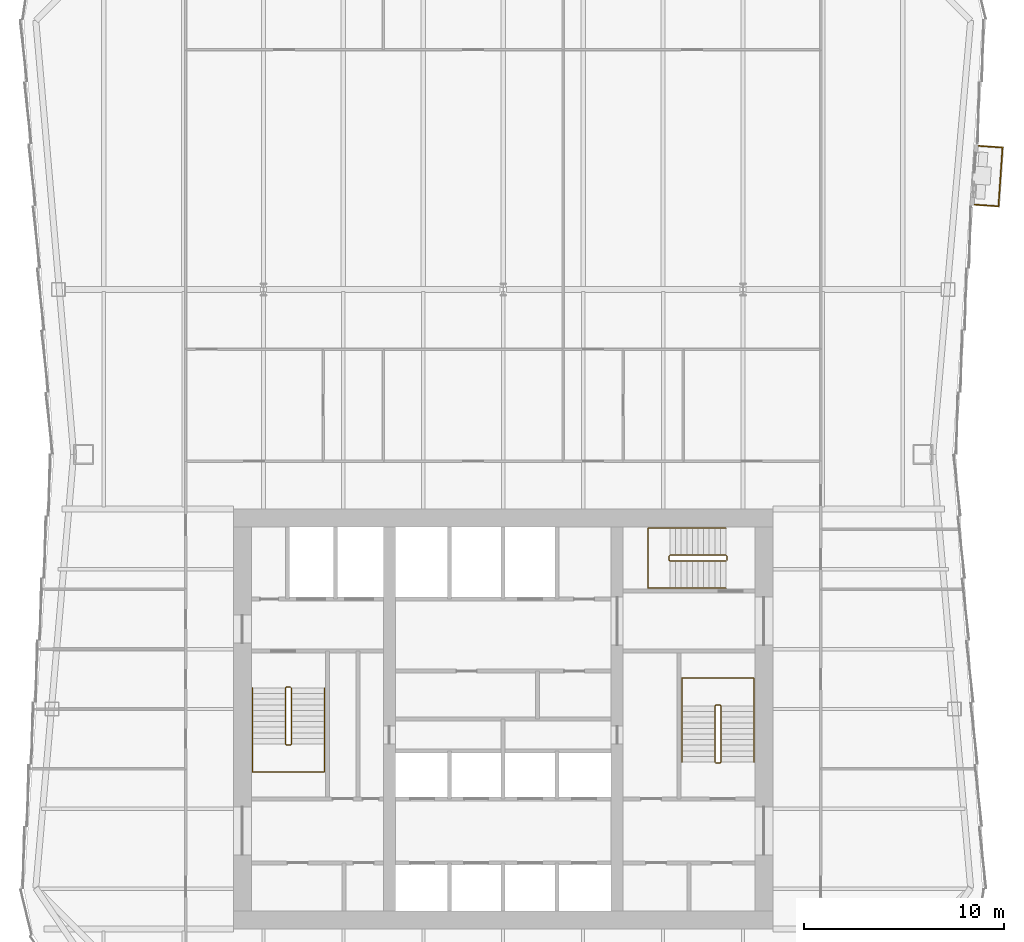
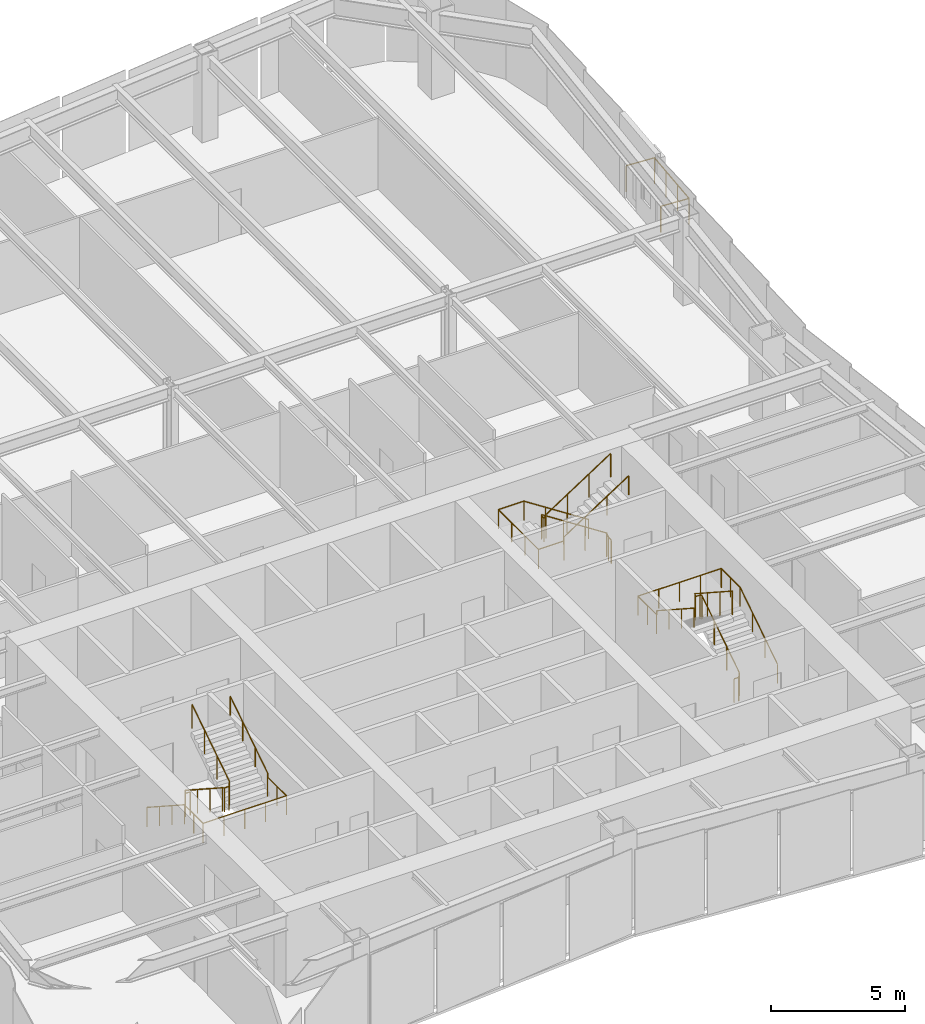
# One storey, part 9 of 10: 7 railings.
"""IFC4 building model written with IfcOpenShell, lengths in metres."""

import ifcopenshell
import ifcopenshell.guid

model = None  # the IFC model being written
_history = None  # IfcOwnerHistory: only IFC2X3 demands one
_inside = {}  # id of a spatial element -> (the spatial element, [elements in it])
_under = {}  # id of a project, library or spatial element -> (it, [spatial elements below it])
_declared = {}  # id of a project -> (the project, [libraries it declares])
_typed = {}  # id of a type object -> (the type object, [elements of that type])
_made_of = {}  # id of a material, layer set ... -> (it, [elements and type objects made of it])


def new_model(schema):
    """Start an empty IFC model of exactly this schema.

    Asked for "IFC4X3", IfcOpenShell would pick the latest addendum, in which some entities
    have other attributes; the version numbers below select the first issue.
    IFC2X3 requires an IfcOwnerHistory on every rooted entity: one is made here for all.
    """
    global model, _history
    if schema == "IFC4X3":
        model = ifcopenshell.file(schema_version=(4, 3, 0, 0))
    else:
        model = ifcopenshell.file(schema=schema)
    _inside.clear()
    _under.clear()
    _declared.clear()
    _typed.clear()
    _made_of.clear()
    _history = None
    if model.schema == "IFC2X3":
        org = make("IfcOrganization", Name="unknown")
        user = make(
            "IfcPersonAndOrganization",
            ThePerson=make("IfcPerson", FamilyName="unknown"),
            TheOrganization=org,
        )
        app = make(
            "IfcApplication",
            ApplicationDeveloper=org,
            Version="unknown",
            ApplicationFullName="unknown",
            ApplicationIdentifier="unknown",
        )
        _history = make(
            "IfcOwnerHistory",
            OwningUser=user,
            OwningApplication=app,
            ChangeAction="ADDED",
            CreationDate=0,
        )
    return model


def make(cls, **values):
    """One entity of the class cls with the attributes given. An attribute that is None is left unset."""
    return model.create_entity(
        cls, **{name: value for name, value in values.items() if value is not None}
    )


def rooted(cls, **values):
    """An entity with a GlobalId (a new one), such as an element, a storey or a relation."""
    return make(cls, GlobalId=ifcopenshell.guid.new(), OwnerHistory=_history, **values)


def si_unit(unit_type, name, prefix=None):
    """IfcSIUnit, for example si_unit("LENGTHUNIT", "METRE", prefix="MILLI")."""
    return make("IfcSIUnit", UnitType=unit_type, Prefix=prefix, Name=name)


def assignment(units):
    """IfcUnitAssignment: the units of a project."""
    return None if units is None else make("IfcUnitAssignment", Units=units)


def point(xyz):
    """IfcCartesianPoint."""
    return None if xyz is None else make("IfcCartesianPoint", Coordinates=xyz)


def direction(xyz):
    """IfcDirection."""
    return None if xyz is None else make("IfcDirection", DirectionRatios=xyz)


def frame(location, z_axis=None, x_axis=None):
    """IfcAxis2Placement3D, a coordinate frame: its origin and axes. An axis left out is left unset."""
    return make(
        "IfcAxis2Placement3D",
        Location=point(location),
        Axis=direction(z_axis),
        RefDirection=direction(x_axis),
    )


def frame_2d(location, x_axis=None):
    """IfcAxis2Placement2D, a coordinate frame in the plane: its origin and x axis."""
    return make(
        "IfcAxis2Placement2D", Location=point(location), RefDirection=direction(x_axis)
    )


def origin():
    """The frame at (0, 0, 0) with its axes left unset."""
    return frame((0.0, 0.0, 0.0))


def origin_2d():
    """The frame at (0, 0) in the plane with its x axis left unset."""
    return frame_2d((0.0, 0.0))


def place(relative_to, where):
    """IfcLocalPlacement: puts the frame where relative to a parent placement (None: the world)."""
    return make(
        "IfcLocalPlacement", PlacementRelTo=relative_to, RelativePlacement=where
    )


def context(
    kind, dimensions, precision=None, world=None, true_north=None, identifier=None
):
    """IfcGeometricRepresentationContext, for example the 3D "Model" context."""
    return make(
        "IfcGeometricRepresentationContext",
        ContextIdentifier=identifier,
        ContextType=kind,
        CoordinateSpaceDimension=dimensions,
        Precision=precision,
        WorldCoordinateSystem=world,
        TrueNorth=true_north,
    )


def subcontext(parent, identifier, kind, view, scale=None):
    """IfcGeometricRepresentationSubContext, for example "Body" below "Model"."""
    return make(
        "IfcGeometricRepresentationSubContext",
        ContextIdentifier=identifier,
        ContextType=kind,
        ParentContext=parent,
        TargetScale=scale,
        TargetView=view,
    )


def project(units=None, contexts=None):
    """IfcProject with its units and contexts."""
    return rooted(
        "IfcProject",
        Name="project",
        RepresentationContexts=contexts,
        UnitsInContext=assignment(units),
    )


def spatial(cls, under=None, at=None, **own):
    """A site, building, storey or space (cls), placed at a placement, below another one or the project."""
    s = rooted(cls, ObjectPlacement=at, **own)
    if under is not None:
        _under.setdefault(under.id(), (under, []))[1].append(s)
    return s


def profile(cls, at=None, kind="AREA", **sizes):
    """A parametric profile (cls). Its sizes go by their IFC names, for example OverallWidth=200.0."""
    return make(cls, ProfileType=kind, Position=at, **sizes)


def circle(**sizes):
    """IfcCircleProfileDef."""
    return profile("IfcCircleProfileDef", **sizes)


def extrude(swept, where, along, depth):
    """IfcExtrudedAreaSolid: the profile swept, set in the frame where, extruded along a direction by depth."""
    return make(
        "IfcExtrudedAreaSolid",
        SweptArea=swept,
        Position=where,
        ExtrudedDirection=direction(along),
        Depth=depth,
    )


def shape(context_of_items, identifier, shape_type, items):
    """IfcShapeRepresentation: the items that make up one representation, for example the "Body"."""
    return make(
        "IfcShapeRepresentation",
        ContextOfItems=context_of_items,
        RepresentationIdentifier=identifier,
        RepresentationType=shape_type,
        Items=items,
    )


def material(Name=None, Category=None):
    """IfcMaterial."""
    return make("IfcMaterial", Name=Name, Category=Category)


def made_of(thing, what):
    """Note that an element or type object is made of a material, layer set ...; save() writes the relation."""
    if what is not None:
        _made_of.setdefault(what.id(), (what, []))[1].append(thing)
    return thing


def type_object(cls, material=None, **own):
    """A type object (cls), such as IfcWallType, which elements share."""
    return made_of(rooted(cls, **own), material)


def element(
    cls,
    number,
    at=None,
    inside=None,
    cuts=None,
    type_object=None,
    material=None,
    context=None,
    identifier="Body",
    shape_type=None,
    held_by="IfcProductDefinitionShape",
    body=None,
    shapes=None,
    **own,
):
    """One element of the class cls, such as IfcWall. Its Tag is "e" and its number.

    at: its placement. inside: the storey or other place that contains it. cuts: it is an
    opening in that element (IfcRelVoidsElement). A single representation is given by context,
    identifier, shape_type and body (its items); several are given by shapes. held_by: the class
    of the entity that holds the representations. save() writes the other relations.
    """
    e = rooted(cls, Tag="e%d" % number, ObjectPlacement=at, **own)
    if body is not None:
        shapes = [shape(context, identifier, shape_type, body)]
    if shapes is not None:
        e.Representation = make(held_by, Representations=shapes)
    if inside is not None:
        _inside.setdefault(inside.id(), (inside, []))[1].append(e)
    if cuts is not None:
        rooted(
            "IfcRelVoidsElement", RelatingBuildingElement=cuts, RelatedOpeningElement=e
        )
    if type_object is not None:
        _typed.setdefault(type_object.id(), (type_object, []))[1].append(e)
    return made_of(e, material)


def aggregate(whole, parts):
    """IfcRelAggregates: a whole, such as a stair, and the parts it consists of."""
    return rooted("IfcRelAggregates", RelatingObject=whole, RelatedObjects=parts)


def save(model, path):
    """Write the relations noted so far, then the file.

    IfcRelAggregates (storeys below a building ...), IfcRelContainedInSpatialStructure (elements
    in a storey), IfcRelDefinesByType, IfcRelAssociatesMaterial and IfcRelDeclares: one each for
    every whole, place, type object, material and project.
    """
    for whole, parts in _under.values():
        aggregate(whole, parts)
    for where, things in _inside.values():
        rooted(
            "IfcRelContainedInSpatialStructure",
            RelatedElements=things,
            RelatingStructure=where,
        )
    for kind, things in _typed.values():
        rooted("IfcRelDefinesByType", RelatedObjects=things, RelatingType=kind)
    for what, things in _made_of.values():
        rooted("IfcRelAssociatesMaterial", RelatedObjects=things, RelatingMaterial=what)
    for by, libraries in _declared.values():
        rooted("IfcRelDeclares", RelatingContext=by, RelatedDefinitions=libraries)
    model.write(path)


model = new_model("IFC4")

# Units and contexts
model_context = context("Model", 3, precision=1e-05, world=origin(), true_north=direction((0.0, 1.0)))
body_context = subcontext(model_context, "Body", "Model", "MODEL_VIEW")
ifc_project = project(units=[si_unit("LENGTHUNIT", "METRE"), si_unit("AREAUNIT", "SQUARE_METRE"), si_unit("VOLUMEUNIT", "CUBIC_METRE"), si_unit("PLANEANGLEUNIT", "RADIAN"), si_unit("MASSUNIT", "GRAM", prefix="KILO")], contexts=[model_context])

# Site, building, storey
site_placement = place(None, origin())
site = spatial("IfcSite", under=ifc_project, at=site_placement, CompositionType="ELEMENT")
building_placement = place(site_placement, origin())
building = spatial("IfcBuilding", under=site, at=building_placement, Name="Verdant Reach Tower", CompositionType="ELEMENT")
storey_placement = place(building_placement, frame((0.0, 0.0, 186.0)))
storey = spatial("IfcBuildingStorey", under=building, at=storey_placement, Name="L42", CompositionType="ELEMENT", Elevation=186.0)

# Railings
ifc_material_1 = material(Name="Stainless steel", Category="steel")
railing_type_1 = type_object("IfcRailingType", Name="CO-GUARD", PredefinedType="GUARDRAIL", material=ifc_material_1)
railing_1_placement = place(storey_placement, frame((-10.64990234375, 29.60009765625, 0.0)))
element("IfcRailing", 1, at=railing_1_placement, inside=storey, type_object=railing_type_1, Name="L42 ST-1 stair guard 1", PredefinedType="GUARDRAIL", context=body_context, shape_type="SweptSolid", body=[
    extrude(circle(Radius=0.02392578125, at=origin_2d()), frame((0.0, 0.0, 1.076171875), z_axis=(-1.0, 0.0, 0.0), x_axis=(0.0, -1.0, 0.0)), (0.0, 0.0, 1.0), 0.2001953125),
    extrude(circle(Radius=0.02392578125, at=origin_2d()), frame((-0.2001953125, 0.0, 1.076171875), z_axis=(-0.25526617399, -0.256517478764, 0.932222056972), x_axis=(0.708833529934, -0.705375805398, 0.0)), (0.0, 0.0, 1.0), 0.195068359375),
    extrude(circle(Radius=0.02392578125, at=origin_2d()), frame((-0.25, -0.050048828125, 1.2578125), z_axis=(0.0, -0.838705829183, 0.544584733623), x_axis=(1.0, 0.0, 0.0)), (0.0, 0.0, 1.0), 3.338623046875),
    extrude(circle(Radius=0.02392578125, at=origin_2d()), frame((-0.25, -2.85009765625, 3.076171875), z_axis=(0.705375805398, -0.708833529934, 0.0), x_axis=(0.708833529934, 0.705375805398, 0.0)), (0.0, 0.0, 1.0), 0.070556640625),
    extrude(circle(Radius=0.02392578125, at=origin_2d()), frame((-0.2001953125, -2.900146484375, 3.076171875), z_axis=(1.0, 0.0, 0.0), x_axis=(0.0, 1.0, 0.0)), (0.0, 0.0, 1.0), 0.2001953125),
    extrude(circle(Radius=0.02392578125, at=origin_2d()), frame((0.0, -2.900146484375, 3.076171875), z_axis=(0.25526617399, 0.256517478764, 0.932222056972), x_axis=(-0.708833529934, 0.705375805398, 0.0)), (0.0, 0.0, 1.0), 0.195068359375),
    extrude(circle(Radius=0.02392578125, at=origin_2d()), frame((0.0498046875, -2.85009765625, 3.2578125), z_axis=(0.0, 0.838705829183, 0.544584733623), x_axis=(-1.0, 0.0, 0.0)), (0.0, 0.0, 1.0), 3.338623046875),
    extrude(circle(Radius=0.02099609375, at=origin_2d()), origin(), (0.0, 0.0, 1.0), 1.052001953125),
    extrude(circle(Radius=0.02099609375, at=origin_2d()), frame((-0.2001953125, 0.0, 0.0)), (0.0, 0.0, 1.0), 1.052001953125),
    extrude(circle(Radius=0.02099609375, at=origin_2d()), frame((-0.25, -0.050048828125, 0.181884765625)), (0.0, 0.0, 1.0), 1.052001953125),
    extrude(circle(Radius=0.02099609375, at=origin_2d()), frame((-0.25, -0.9833984375, 0.787841796875)), (0.0, 0.0, 1.0), 1.052001953125),
    extrude(circle(Radius=0.02099609375, at=origin_2d()), frame((-0.25, -1.916748046875, 1.39404296875)), (0.0, 0.0, 1.0), 1.052001953125),
    extrude(circle(Radius=0.02099609375, at=origin_2d()), frame((-0.25, -2.85009765625, 2.0)), (0.0, 0.0, 1.0), 1.052001953125),
    extrude(circle(Radius=0.02099609375, at=origin_2d()), frame((-0.2001953125, -2.900146484375, 2.0)), (0.0, 0.0, 1.0), 1.052001953125),
    extrude(circle(Radius=0.02099609375, at=origin_2d()), frame((0.0, -2.900146484375, 2.0)), (0.0, 0.0, 1.0), 1.052001953125),
    extrude(circle(Radius=0.02099609375, at=origin_2d()), frame((0.0498046875, -2.85009765625, 2.181884765625)), (0.0, 0.0, 1.0), 1.052001953125),
    extrude(circle(Radius=0.02099609375, at=origin_2d()), frame((0.0498046875, -1.916748046875, 2.787841796875)), (0.0, 0.0, 1.0), 1.052001953125),
    extrude(circle(Radius=0.02099609375, at=origin_2d()), frame((0.0498046875, -0.9833984375, 3.39404296875)), (0.0, 0.0, 1.0), 1.052001953125),
    extrude(circle(Radius=0.02099609375, at=origin_2d()), frame((0.0498046875, -0.050048828125, 4.0)), (0.0, 0.0, 1.0), 1.052001953125),
])
railing_2_placement = place(storey_placement, frame((10.64990234375, 25.800048828125, 0.0)))
element("IfcRailing", 2, at=railing_2_placement, inside=storey, type_object=railing_type_1, Name="L42 ST-2 stair guard 1", PredefinedType="GUARDRAIL", context=body_context, shape_type="SweptSolid", body=[
    extrude(circle(Radius=0.02392578125, at=origin_2d()), frame((0.0, 0.0, 1.076171875), z_axis=(1.0, 0.0, 0.0), x_axis=(0.0, 1.0, 0.0)), (0.0, 0.0, 1.0), 0.2001953125),
    extrude(circle(Radius=0.02392578125, at=origin_2d()), frame((0.2001953125, 0.0, 1.076171875), z_axis=(0.25526617399, 0.256517478764, 0.932222056972), x_axis=(-0.708833529934, 0.705375805398, 0.0)), (0.0, 0.0, 1.0), 0.195068359375),
    extrude(circle(Radius=0.02392578125, at=origin_2d()), frame((0.25, 0.050048828125, 1.2578125), z_axis=(0.0, 0.83868413941, 0.544618136222), x_axis=(-1.0, 0.0, 0.0)), (0.0, 0.0, 1.0), 3.33837890625),
    extrude(circle(Radius=0.02392578125, at=origin_2d()), frame((0.25, 2.849853515625, 3.076171875), z_axis=(-0.705375805398, 0.708833529934, 0.0), x_axis=(-0.708833529934, -0.705375805398, 0.0)), (0.0, 0.0, 1.0), 0.070556640625),
    extrude(circle(Radius=0.02392578125, at=origin_2d()), frame((0.2001953125, 2.89990234375, 3.076171875), z_axis=(-1.0, 0.0, 0.0), x_axis=(0.0, -1.0, 0.0)), (0.0, 0.0, 1.0), 0.2001953125),
    extrude(circle(Radius=0.02392578125, at=origin_2d()), frame((0.0, 2.89990234375, 3.076171875), z_axis=(-0.25526617399, -0.256517478764, 0.932222056972), x_axis=(0.708833529934, -0.705375805398, 0.0)), (0.0, 0.0, 1.0), 0.195068359375),
    extrude(circle(Radius=0.02392578125, at=origin_2d()), frame((-0.0498046875, 2.849853515625, 3.2578125), z_axis=(0.0, -0.83868413941, 0.544618136222), x_axis=(1.0, 0.0, 0.0)), (0.0, 0.0, 1.0), 3.33837890625),
    extrude(circle(Radius=0.02099609375, at=origin_2d()), origin(), (0.0, 0.0, 1.0), 1.052001953125),
    extrude(circle(Radius=0.02099609375, at=origin_2d()), frame((0.2001953125, 0.0, 0.0)), (0.0, 0.0, 1.0), 1.052001953125),
    extrude(circle(Radius=0.02099609375, at=origin_2d()), frame((0.25, 0.050048828125, 0.181884765625)), (0.0, 0.0, 1.0), 1.052001953125),
    extrude(circle(Radius=0.02099609375, at=origin_2d()), frame((0.25, 0.9833984375, 0.787841796875)), (0.0, 0.0, 1.0), 1.052001953125),
    extrude(circle(Radius=0.02099609375, at=origin_2d()), frame((0.25, 1.91650390625, 1.39404296875)), (0.0, 0.0, 1.0), 1.052001953125),
    extrude(circle(Radius=0.02099609375, at=origin_2d()), frame((0.25, 2.849853515625, 2.0)), (0.0, 0.0, 1.0), 1.052001953125),
    extrude(circle(Radius=0.02099609375, at=origin_2d()), frame((0.2001953125, 2.89990234375, 2.0)), (0.0, 0.0, 1.0), 1.052001953125),
    extrude(circle(Radius=0.02099609375, at=origin_2d()), frame((0.0, 2.89990234375, 2.0)), (0.0, 0.0, 1.0), 1.052001953125),
    extrude(circle(Radius=0.02099609375, at=origin_2d()), frame((-0.0498046875, 2.849853515625, 2.181884765625)), (0.0, 0.0, 1.0), 1.052001953125),
    extrude(circle(Radius=0.02099609375, at=origin_2d()), frame((-0.0498046875, 1.91650390625, 2.787841796875)), (0.0, 0.0, 1.0), 1.052001953125),
    extrude(circle(Radius=0.02099609375, at=origin_2d()), frame((-0.0498046875, 0.9833984375, 3.39404296875)), (0.0, 0.0, 1.0), 1.052001953125),
    extrude(circle(Radius=0.02099609375, at=origin_2d()), frame((-0.0498046875, 0.050048828125, 4.0)), (0.0, 0.0, 1.0), 1.052001953125),
])
railing_3_placement = place(storey_placement, frame((11.199951171875, 35.949951171875, 0.0)))
element("IfcRailing", 3, at=railing_3_placement, inside=storey, type_object=railing_type_1, Name="L42 ST-3 stair guard 1", PredefinedType="GUARDRAIL", context=body_context, shape_type="SweptSolid", body=[
    extrude(circle(Radius=0.02392578125, at=origin_2d()), frame((0.0, 0.0, 1.076171875), z_axis=(0.0, 1.0, 0.0), x_axis=(-1.0, 0.0, 0.0)), (0.0, 0.0, 1.0), 0.199951171875),
    extrude(circle(Radius=0.02392578125, at=origin_2d()), frame((0.0, 0.199951171875, 1.076171875), z_axis=(-0.256435381639, 0.256435381639, 0.931923704005), x_axis=(-0.707106781187, -0.707106781187, 0.0)), (0.0, 0.0, 1.0), 0.195068359375),
    extrude(circle(Radius=0.02392578125, at=origin_2d()), frame((-0.050048828125, 0.25, 1.2578125), z_axis=(-0.83868413941, 0.0, 0.544618136222), x_axis=(0.0, -1.0, 0.0)), (0.0, 0.0, 1.0), 3.33837890625),
    extrude(circle(Radius=0.02392578125, at=origin_2d()), frame((-2.849853515625, 0.25, 3.076171875), z_axis=(-0.707106781187, -0.707106781187, 0.0), x_axis=(0.707106781187, -0.707106781187, 0.0)), (0.0, 0.0, 1.0), 0.07080078125),
    extrude(circle(Radius=0.02392578125, at=origin_2d()), frame((-2.89990234375, 0.199951171875, 3.076171875), z_axis=(0.0, -1.0, 0.0), x_axis=(1.0, 0.0, 0.0)), (0.0, 0.0, 1.0), 0.199951171875),
    extrude(circle(Radius=0.02392578125, at=origin_2d()), frame((-2.89990234375, 0.0, 3.076171875), z_axis=(0.256435381639, -0.256435381639, 0.931923704005), x_axis=(0.707106781187, 0.707106781187, 0.0)), (0.0, 0.0, 1.0), 0.195068359375),
    extrude(circle(Radius=0.02392578125, at=origin_2d()), frame((-2.849853515625, -0.050048828125, 3.2578125), z_axis=(0.83868413941, 0.0, 0.544618136222), x_axis=(0.0, 1.0, 0.0)), (0.0, 0.0, 1.0), 3.33837890625),
    extrude(circle(Radius=0.02099609375, at=origin_2d()), origin(), (0.0, 0.0, 1.0), 1.052001953125),
    extrude(circle(Radius=0.02099609375, at=origin_2d()), frame((0.0, 0.199951171875, 0.0)), (0.0, 0.0, 1.0), 1.052001953125),
    extrude(circle(Radius=0.02099609375, at=origin_2d()), frame((-0.050048828125, 0.25, 0.181884765625)), (0.0, 0.0, 1.0), 1.052001953125),
    extrude(circle(Radius=0.02099609375, at=origin_2d()), frame((-0.9833984375, 0.25, 0.787841796875)), (0.0, 0.0, 1.0), 1.052001953125),
    extrude(circle(Radius=0.02099609375, at=origin_2d()), frame((-1.91650390625, 0.25, 1.39404296875)), (0.0, 0.0, 1.0), 1.052001953125),
    extrude(circle(Radius=0.02099609375, at=origin_2d()), frame((-2.849853515625, 0.25, 2.0)), (0.0, 0.0, 1.0), 1.052001953125),
    extrude(circle(Radius=0.02099609375, at=origin_2d()), frame((-2.89990234375, 0.199951171875, 2.0)), (0.0, 0.0, 1.0), 1.052001953125),
    extrude(circle(Radius=0.02099609375, at=origin_2d()), frame((-2.89990234375, 0.0, 2.0)), (0.0, 0.0, 1.0), 1.052001953125),
    extrude(circle(Radius=0.02099609375, at=origin_2d()), frame((-2.849853515625, -0.050048828125, 2.181884765625)), (0.0, 0.0, 1.0), 1.052001953125),
    extrude(circle(Radius=0.02099609375, at=origin_2d()), frame((-1.91650390625, -0.050048828125, 2.787841796875)), (0.0, 0.0, 1.0), 1.052001953125),
    extrude(circle(Radius=0.02099609375, at=origin_2d()), frame((-0.9833984375, -0.050048828125, 3.39404296875)), (0.0, 0.0, 1.0), 1.052001953125),
    extrude(circle(Radius=0.02099609375, at=origin_2d()), frame((-0.050048828125, -0.050048828125, 4.0)), (0.0, 0.0, 1.0), 1.052001953125),
])
railing_type_2 = type_object("IfcRailingType", Name="CO-HANDRAIL", PredefinedType="HANDRAIL", material=ifc_material_1)
railing_4_placement = place(storey_placement, frame((-12.550048828125, 29.550048828125, 0.181884765625)))
element("IfcRailing", 4, at=railing_4_placement, inside=storey, type_object=railing_type_2, Name="L42 ST-1 stair handrail 1", PredefinedType="HANDRAIL", context=body_context, shape_type="SweptSolid", body=[
    extrude(circle(Radius=0.02392578125, at=origin_2d()), frame((0.0, 0.0, 0.8759765625), z_axis=(0.0, -0.838705829183, 0.544584733623), x_axis=(1.0, 0.0, 0.0)), (0.0, 0.0, 1.0), 3.338623046875),
    extrude(circle(Radius=0.02392578125, at=origin_2d()), frame((0.0, -2.800048828125, 2.69384765625), z_axis=(0.0, -1.0, 0.0), x_axis=(1.0, 0.0, 0.0)), (0.0, 0.0, 1.0), 1.39990234375),
    extrude(circle(Radius=0.02392578125, at=origin_2d()), frame((0.0, -4.199951171875, 2.69384765625), z_axis=(1.0, 0.0, 0.0), x_axis=(0.0, 1.0, 0.0)), (0.0, 0.0, 1.0), 3.60009765625),
    extrude(circle(Radius=0.02392578125, at=origin_2d()), frame((3.60009765625, -4.199951171875, 2.69384765625), z_axis=(0.0, 1.0, 0.0), x_axis=(-1.0, 0.0, 0.0)), (0.0, 0.0, 1.0), 1.39990234375),
    extrude(circle(Radius=0.02392578125, at=origin_2d()), frame((3.60009765625, -2.800048828125, 2.69384765625), z_axis=(0.0, 0.0, 1.0), x_axis=(1.0, 0.0, 0.0)), (0.0, 0.0, 1.0), 0.181884765625),
    extrude(circle(Radius=0.02392578125, at=origin_2d()), frame((3.60009765625, -2.800048828125, 2.8759765625), z_axis=(0.0, 0.838705829183, 0.544584733623), x_axis=(-1.0, 0.0, 0.0)), (0.0, 0.0, 1.0), 3.338623046875),
    extrude(circle(Radius=0.02099609375, at=origin_2d()), origin(), (0.0, 0.0, 1.0), 0.851806640625),
    extrude(circle(Radius=0.02099609375, at=origin_2d()), frame((0.0, -0.933349609375, 0.60595703125)), (0.0, 0.0, 1.0), 0.851806640625),
    extrude(circle(Radius=0.02099609375, at=origin_2d()), frame((0.0, -1.86669921875, 1.212158203125)), (0.0, 0.0, 1.0), 0.851806640625),
    extrude(circle(Radius=0.02099609375, at=origin_2d()), frame((0.0, -2.800048828125, 1.818115234375)), (0.0, 0.0, 1.0), 0.851806640625),
    extrude(circle(Radius=0.02099609375, at=origin_2d()), frame((0.0, -3.5, 1.818115234375)), (0.0, 0.0, 1.0), 0.851806640625),
    extrude(circle(Radius=0.02099609375, at=origin_2d()), frame((0.0, -4.199951171875, 1.818115234375)), (0.0, 0.0, 1.0), 0.851806640625),
    extrude(circle(Radius=0.02099609375, at=origin_2d()), frame((0.89990234375, -4.199951171875, 1.818115234375)), (0.0, 0.0, 1.0), 0.851806640625),
    extrude(circle(Radius=0.02099609375, at=origin_2d()), frame((1.800048828125, -4.199951171875, 1.818115234375)), (0.0, 0.0, 1.0), 0.851806640625),
    extrude(circle(Radius=0.02099609375, at=origin_2d()), frame((2.7001953125, -4.199951171875, 1.818115234375)), (0.0, 0.0, 1.0), 0.851806640625),
    extrude(circle(Radius=0.02099609375, at=origin_2d()), frame((3.60009765625, -4.199951171875, 1.818115234375)), (0.0, 0.0, 1.0), 0.851806640625),
    extrude(circle(Radius=0.02099609375, at=origin_2d()), frame((3.60009765625, -3.5, 1.818115234375)), (0.0, 0.0, 1.0), 0.851806640625),
    extrude(circle(Radius=0.02099609375, at=origin_2d()), frame((3.60009765625, -2.800048828125, 1.818115234375)), (0.0, 0.0, 1.0), 0.851806640625),
    extrude(circle(Radius=0.02099609375, at=origin_2d()), frame((3.60009765625, -2.800048828125, 2.0)), (0.0, 0.0, 1.0), 0.851806640625),
    extrude(circle(Radius=0.02099609375, at=origin_2d()), frame((3.60009765625, -1.86669921875, 2.60595703125)), (0.0, 0.0, 1.0), 0.851806640625),
    extrude(circle(Radius=0.02099609375, at=origin_2d()), frame((3.60009765625, -0.933349609375, 3.212158203125)), (0.0, 0.0, 1.0), 0.851806640625),
    extrude(circle(Radius=0.02099609375, at=origin_2d()), frame((3.60009765625, 0.0, 3.818115234375)), (0.0, 0.0, 1.0), 0.851806640625),
])
railing_5_placement = place(storey_placement, frame((12.550048828125, 25.85009765625, 0.181884765625)))
element("IfcRailing", 5, at=railing_5_placement, inside=storey, type_object=railing_type_2, Name="L42 ST-2 stair handrail 1", PredefinedType="HANDRAIL", context=body_context, shape_type="SweptSolid", body=[
    extrude(circle(Radius=0.02392578125, at=origin_2d()), frame((0.0, 0.0, 0.8759765625), z_axis=(0.0, 0.83868413941, 0.544618136222), x_axis=(-1.0, 0.0, 0.0)), (0.0, 0.0, 1.0), 3.33837890625),
    extrude(circle(Radius=0.02392578125, at=origin_2d()), frame((0.0, 2.7998046875, 2.69384765625), z_axis=(0.0, 1.0, 0.0), x_axis=(-1.0, 0.0, 0.0)), (0.0, 0.0, 1.0), 1.400146484375),
    extrude(circle(Radius=0.02392578125, at=origin_2d()), frame((0.0, 4.199951171875, 2.69384765625), z_axis=(-1.0, 0.0, 0.0), x_axis=(0.0, -1.0, 0.0)), (0.0, 0.0, 1.0), 3.60009765625),
    extrude(circle(Radius=0.02392578125, at=origin_2d()), frame((-3.60009765625, 4.199951171875, 2.69384765625), z_axis=(0.0, -1.0, 0.0), x_axis=(1.0, 0.0, 0.0)), (0.0, 0.0, 1.0), 1.400146484375),
    extrude(circle(Radius=0.02392578125, at=origin_2d()), frame((-3.60009765625, 2.7998046875, 2.69384765625), z_axis=(0.0, 0.0, 1.0), x_axis=(1.0, 0.0, 0.0)), (0.0, 0.0, 1.0), 0.181884765625),
    extrude(circle(Radius=0.02392578125, at=origin_2d()), frame((-3.60009765625, 2.7998046875, 2.8759765625), z_axis=(0.0, -0.83868413941, 0.544618136222), x_axis=(1.0, 0.0, 0.0)), (0.0, 0.0, 1.0), 3.33837890625),
    extrude(circle(Radius=0.02099609375, at=origin_2d()), origin(), (0.0, 0.0, 1.0), 0.851806640625),
    extrude(circle(Radius=0.02099609375, at=origin_2d()), frame((0.0, 0.933349609375, 0.60595703125)), (0.0, 0.0, 1.0), 0.851806640625),
    extrude(circle(Radius=0.02099609375, at=origin_2d()), frame((0.0, 1.866455078125, 1.212158203125)), (0.0, 0.0, 1.0), 0.851806640625),
    extrude(circle(Radius=0.02099609375, at=origin_2d()), frame((0.0, 2.7998046875, 1.818115234375)), (0.0, 0.0, 1.0), 0.851806640625),
    extrude(circle(Radius=0.02099609375, at=origin_2d()), frame((0.0, 3.5, 1.818115234375)), (0.0, 0.0, 1.0), 0.851806640625),
    extrude(circle(Radius=0.02099609375, at=origin_2d()), frame((0.0, 4.199951171875, 1.818115234375)), (0.0, 0.0, 1.0), 0.851806640625),
    extrude(circle(Radius=0.02099609375, at=origin_2d()), frame((-0.89990234375, 4.199951171875, 1.818115234375)), (0.0, 0.0, 1.0), 0.851806640625),
    extrude(circle(Radius=0.02099609375, at=origin_2d()), frame((-1.800048828125, 4.199951171875, 1.818115234375)), (0.0, 0.0, 1.0), 0.851806640625),
    extrude(circle(Radius=0.02099609375, at=origin_2d()), frame((-2.7001953125, 4.199951171875, 1.818115234375)), (0.0, 0.0, 1.0), 0.851806640625),
    extrude(circle(Radius=0.02099609375, at=origin_2d()), frame((-3.60009765625, 4.199951171875, 1.818115234375)), (0.0, 0.0, 1.0), 0.851806640625),
    extrude(circle(Radius=0.02099609375, at=origin_2d()), frame((-3.60009765625, 3.5, 1.818115234375)), (0.0, 0.0, 1.0), 0.851806640625),
    extrude(circle(Radius=0.02099609375, at=origin_2d()), frame((-3.60009765625, 2.7998046875, 1.818115234375)), (0.0, 0.0, 1.0), 0.851806640625),
    extrude(circle(Radius=0.02099609375, at=origin_2d()), frame((-3.60009765625, 2.7998046875, 2.0)), (0.0, 0.0, 1.0), 0.851806640625),
    extrude(circle(Radius=0.02099609375, at=origin_2d()), frame((-3.60009765625, 1.866455078125, 2.60595703125)), (0.0, 0.0, 1.0), 0.851806640625),
    extrude(circle(Radius=0.02099609375, at=origin_2d()), frame((-3.60009765625, 0.933349609375, 3.212158203125)), (0.0, 0.0, 1.0), 0.851806640625),
    extrude(circle(Radius=0.02099609375, at=origin_2d()), frame((-3.60009765625, 0.0, 3.818115234375)), (0.0, 0.0, 1.0), 0.851806640625),
])
railing_6_placement = place(storey_placement, frame((11.14990234375, 37.550048828125, 0.181884765625)))
element("IfcRailing", 6, at=railing_6_placement, inside=storey, type_object=railing_type_2, Name="L42 ST-3 stair handrail 1", PredefinedType="HANDRAIL", context=body_context, shape_type="SweptSolid", body=[
    extrude(circle(Radius=0.02392578125, at=origin_2d()), frame((0.0, 0.0, 0.8759765625), z_axis=(-0.83868413941, 0.0, 0.544618136222), x_axis=(0.0, -1.0, 0.0)), (0.0, 0.0, 1.0), 3.33837890625),
    extrude(circle(Radius=0.02392578125, at=origin_2d()), frame((-2.7998046875, 0.0, 2.69384765625), z_axis=(-1.0, 0.0, 0.0), x_axis=(0.0, -1.0, 0.0)), (0.0, 0.0, 1.0), 1.10009765625),
    extrude(circle(Radius=0.02392578125, at=origin_2d()), frame((-3.89990234375, 0.0, 2.69384765625), z_axis=(0.0, -1.0, 0.0), x_axis=(1.0, 0.0, 0.0)), (0.0, 0.0, 1.0), 3.0),
    extrude(circle(Radius=0.02392578125, at=origin_2d()), frame((-3.89990234375, -3.0, 2.69384765625), z_axis=(1.0, 0.0, 0.0), x_axis=(0.0, 1.0, 0.0)), (0.0, 0.0, 1.0), 1.10009765625),
    extrude(circle(Radius=0.02392578125, at=origin_2d()), frame((-2.7998046875, -3.0, 2.69384765625), z_axis=(0.0, 0.0, 1.0), x_axis=(1.0, 0.0, 0.0)), (0.0, 0.0, 1.0), 0.181884765625),
    extrude(circle(Radius=0.02392578125, at=origin_2d()), frame((-2.7998046875, -3.0, 2.8759765625), z_axis=(0.83868413941, 0.0, 0.544618136222), x_axis=(0.0, 1.0, 0.0)), (0.0, 0.0, 1.0), 3.33837890625),
    extrude(circle(Radius=0.02099609375, at=origin_2d()), origin(), (0.0, 0.0, 1.0), 0.851806640625),
    extrude(circle(Radius=0.02099609375, at=origin_2d()), frame((-0.933349609375, 0.0, 0.60595703125)), (0.0, 0.0, 1.0), 0.851806640625),
    extrude(circle(Radius=0.02099609375, at=origin_2d()), frame((-1.866455078125, 0.0, 1.212158203125)), (0.0, 0.0, 1.0), 0.851806640625),
    extrude(circle(Radius=0.02099609375, at=origin_2d()), frame((-2.7998046875, 0.0, 1.818115234375)), (0.0, 0.0, 1.0), 0.851806640625),
    extrude(circle(Radius=0.02099609375, at=origin_2d()), frame((-3.89990234375, 0.0, 1.818115234375)), (0.0, 0.0, 1.0), 0.851806640625),
    extrude(circle(Radius=0.02099609375, at=origin_2d()), frame((-3.89990234375, -1.0, 1.818115234375)), (0.0, 0.0, 1.0), 0.851806640625),
    extrude(circle(Radius=0.02099609375, at=origin_2d()), frame((-3.89990234375, -2.0, 1.818115234375)), (0.0, 0.0, 1.0), 0.851806640625),
    extrude(circle(Radius=0.02099609375, at=origin_2d()), frame((-3.89990234375, -3.0, 1.818115234375)), (0.0, 0.0, 1.0), 0.851806640625),
    extrude(circle(Radius=0.02099609375, at=origin_2d()), frame((-2.7998046875, -3.0, 1.818115234375)), (0.0, 0.0, 1.0), 0.851806640625),
    extrude(circle(Radius=0.02099609375, at=origin_2d()), frame((-2.7998046875, -3.0, 2.0)), (0.0, 0.0, 1.0), 0.851806640625),
    extrude(circle(Radius=0.02099609375, at=origin_2d()), frame((-1.866455078125, -3.0, 2.60595703125)), (0.0, 0.0, 1.0), 0.851806640625),
    extrude(circle(Radius=0.02099609375, at=origin_2d()), frame((-0.933349609375, -3.0, 3.212158203125)), (0.0, 0.0, 1.0), 0.851806640625),
    extrude(circle(Radius=0.02099609375, at=origin_2d()), frame((0.0, -3.0, 3.818115234375)), (0.0, 0.0, 1.0), 0.851806640625),
])
ifc_material_2 = material(Name="Stainless steel and laminated glass balustrade", Category="steel")
railing_type_3 = type_object("IfcRailingType", Name="EN-RAILING BALCONY", PredefinedType="GUARDRAIL", material=ifc_material_2)
railing_7_placement = place(storey_placement, frame((23.6103515625, 53.744384765625, 0.0)))
element("IfcRailing", 7, at=railing_7_placement, inside=storey, type_object=railing_type_3, Name="Balcony guard 1, L42", PredefinedType="GUARDRAIL", context=body_context, shape_type="SweptSolid", body=[
    extrude(circle(Radius=0.02490234375, at=origin_2d()), frame((0.0, 0.0, 1.1748046875), z_axis=(0.997631794817, -0.068780825605, 0.0), x_axis=(0.068780825605, 0.997631794817, 0.0)), (0.0, 0.0, 1.0), 1.181884765625),
    extrude(circle(Radius=0.02490234375, at=origin_2d()), frame((1.17919921875, -0.081298828125, 1.1748046875), z_axis=(0.068810617056, 0.997629740425, 0.0), x_axis=(-0.997629740425, 0.068810617056, 0.0)), (0.0, 0.0, 1.0), 2.948486328125),
    extrude(circle(Radius=0.02490234375, at=origin_2d()), frame((1.382080078125, 2.860107421875, 1.1748046875), z_axis=(-0.997631794817, 0.068780825605, 0.0), x_axis=(-0.068780825605, -0.997631794817, 0.0)), (0.0, 0.0, 1.0), 1.181884765625),
    extrude(circle(Radius=0.02490234375, at=origin_2d()), origin(), (0.0, 0.0, 1.0), 1.14990234375),
    extrude(circle(Radius=0.02490234375, at=origin_2d()), frame((1.17919921875, -0.081298828125, 0.0)), (0.0, 0.0, 1.0), 1.14990234375),
    extrude(circle(Radius=0.02490234375, at=origin_2d()), frame((1.246826171875, 0.899169921875, 0.0)), (0.0, 0.0, 1.0), 1.14990234375),
    extrude(circle(Radius=0.02490234375, at=origin_2d()), frame((1.314453125, 1.879638671875, 0.0)), (0.0, 0.0, 1.0), 1.14990234375),
    extrude(circle(Radius=0.02490234375, at=origin_2d()), frame((1.382080078125, 2.860107421875, 0.0)), (0.0, 0.0, 1.0), 1.14990234375),
    extrude(circle(Radius=0.02490234375, at=origin_2d()), frame((0.202880859375, 2.94140625, 0.0)), (0.0, 0.0, 1.0), 1.14990234375),
])

save(model, "model.ifc")
